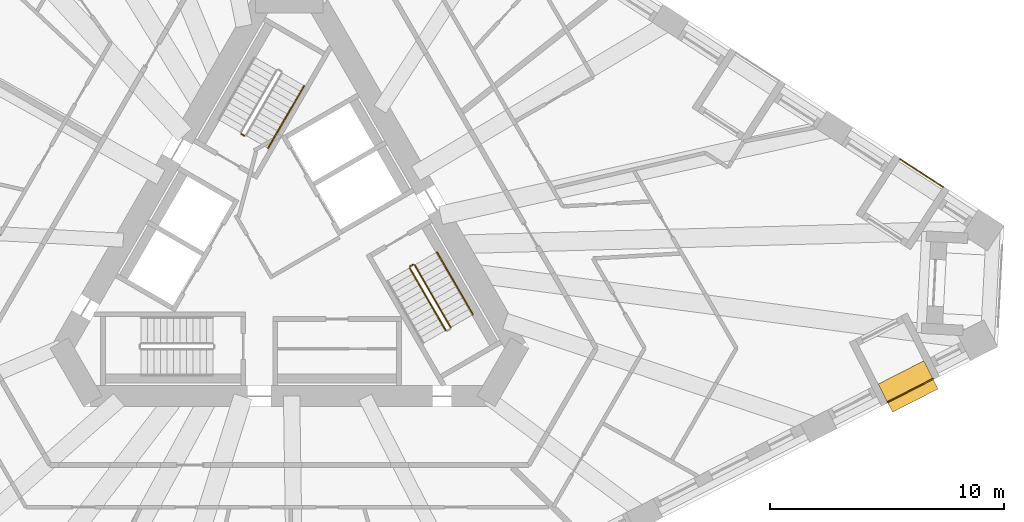
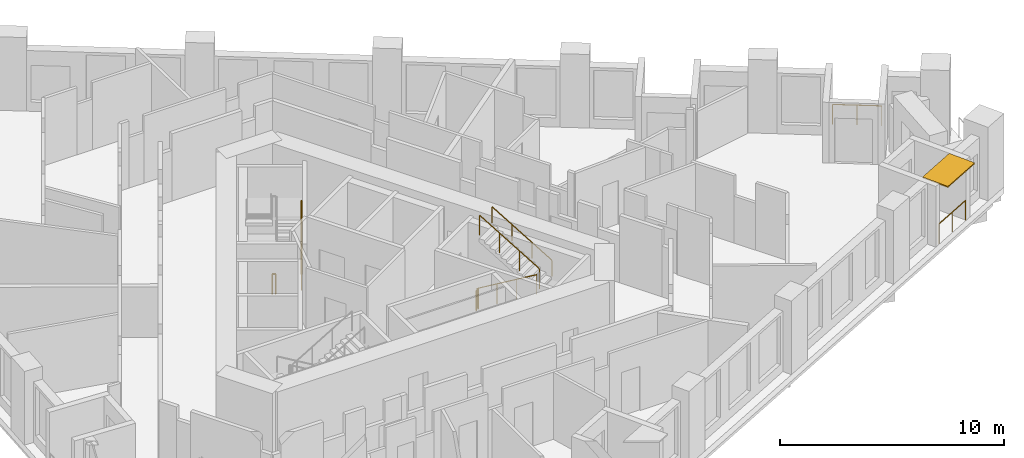
# One storey, part 11 of 13: 8 railings, 1 shading device.
"""IFC4 building model written with IfcOpenShell, lengths in metres."""

from ifc_helpers import new_model, si_unit, direction, frame, origin, origin_2d, place, context, subcontext, project, spatial, rectangle, circle, extrude, material, layer, layer_set, type_object, element, save


model = new_model("IFC4")

# Units and contexts
model_context = context("Model", 3, precision=1e-05, world=origin(), true_north=direction((0.0, 1.0)))
body_context = subcontext(model_context, "Body", "Model", "MODEL_VIEW")
ifc_project = project(units=[si_unit("LENGTHUNIT", "METRE"), si_unit("AREAUNIT", "SQUARE_METRE"), si_unit("VOLUMEUNIT", "CUBIC_METRE"), si_unit("PLANEANGLEUNIT", "RADIAN"), si_unit("MASSUNIT", "GRAM", prefix="KILO")], contexts=[model_context])

# Site, building, storey
site_placement = place(None, origin())
site = spatial("IfcSite", under=ifc_project, at=site_placement, CompositionType="ELEMENT")
building_placement = place(site_placement, origin())
building = spatial("IfcBuilding", under=site, at=building_placement, Name="Tramontana Tower", CompositionType="ELEMENT")
storey_placement = place(building_placement, frame((0.0, 0.0, 153.60009765625)))
storey = spatial("IfcBuildingStorey", under=building, at=storey_placement, Name="L35", CompositionType="ELEMENT", Elevation=153.60009765625)

# Railings
ifc_material_1 = material(Name="Laminated glass balustrade", Category="glass")
railing_type_1 = type_object("IfcRailingType", Name="GD1 Loggia glass balustrade 1100", PredefinedType="BALUSTRADE", material=ifc_material_1)
railing_1_placement = place(storey_placement, frame((25.603271484375, -6.5615234375, 0.0)))
element("IfcRailing", 1, at=railing_1_placement, inside=storey, type_object=railing_type_1, Name="Loggia balustrade L35 G3S1.16", PredefinedType="BALUSTRADE", context=body_context, shape_type="SweptSolid", body=[
    extrude(circle(Radius=0.02392578125, at=origin_2d()), frame((0.0, 0.0, 1.076171875), z_axis=(0.891013126725, 0.4539775413, 0.0), x_axis=(-0.4539775413, 0.891013126725, 0.0)), (0.0, 0.0, 1.0), 2.1904296875),
    extrude(circle(Radius=0.02099609375, at=origin_2d()), origin(), (0.0, 0.0, 1.0), 1.052001953125),
    extrude(circle(Radius=0.02099609375, at=origin_2d()), frame((0.975830078125, 0.4970703125, 0.0)), (0.0, 0.0, 1.0), 1.052001953125),
    extrude(circle(Radius=0.02099609375, at=origin_2d()), frame((1.95166015625, 0.994384765625, 0.0)), (0.0, 0.0, 1.0), 1.052001953125),
])
railing_2_placement = place(storey_placement, frame((27.98583984375, 2.65625, 0.0)))
element("IfcRailing", 2, at=railing_2_placement, inside=storey, type_object=railing_type_1, Name="Loggia balustrade L35 G3S2.1", PredefinedType="BALUSTRADE", context=body_context, shape_type="SweptSolid", body=[
    extrude(circle(Radius=0.02392578125, at=origin_2d()), frame((0.0, 0.0, 1.076171875), z_axis=(-0.838659986147, 0.544655329209, 0.0), x_axis=(-0.544655329209, -0.838659986147, 0.0)), (0.0, 0.0, 1.0), 2.190673828125),
    extrude(circle(Radius=0.02099609375, at=origin_2d()), origin(), (0.0, 0.0, 1.0), 1.052001953125),
    extrude(circle(Radius=0.02099609375, at=origin_2d()), frame((-0.91845703125, 0.5966796875, 0.0)), (0.0, 0.0, 1.0), 1.052001953125),
    extrude(circle(Radius=0.02099609375, at=origin_2d()), frame((-1.837158203125, 1.193115234375, 0.0)), (0.0, 0.0, 1.0), 1.052001953125),
])

# Shading device
ifc_material_2 = material(Name="Precast concrete 60 MPa", Category="concrete")
ifc_layer = layer(ifc_material_2, 0.06005859375)
ifc_layer_set = layer_set([ifc_layer], Name="SS1 Stone sunshade blade 60")
shading_device_type = type_object("IfcShadingDeviceType", Name="SS1 Stone sunshade blade 60", PredefinedType="USERDEFINED", material=ifc_layer_set)
shading_device_placement = place(storey_placement, frame((26.490478515625, -5.890625, 3.239990234375), z_axis=(0.0, 0.0, 1.0), x_axis=(0.891006524188, 0.45399049974, 0.0)))
element("IfcShadingDevice", 3, at=shading_device_placement, inside=storey, type_object=shading_device_type, Name="Sunshade L35 G3S1.16", ObjectType="SUNSHADE", PredefinedType="USERDEFINED", context=body_context, shape_type="SweptSolid", body=[
    extrude(rectangle(XDim=2.1904296875, YDim=1.35009765625, at=origin_2d()), origin(), (0.0, 0.0, 1.0), 0.06005859375),
])

# Railings
ifc_material_3 = material(Name="Painted steel", Category="steel")
railing_type_2 = type_object("IfcRailingType", Name="STAIR GUARD 1100", PredefinedType="GUARDRAIL", material=ifc_material_3)
railing_3_placement = place(storey_placement, frame((-1.935791015625, 4.84716796875, 0.0)))
element("IfcRailing", 4, at=railing_3_placement, inside=storey, type_object=railing_type_2, Name="L35 ST1 stair guard 4", PredefinedType="GUARDRAIL", context=body_context, shape_type="SweptSolid", body=[
    extrude(circle(Radius=0.02392578125, at=origin_2d()), frame((0.0, 0.0, 1.076171875), z_axis=(-0.865426285481, 0.501036270542, 0.0), x_axis=(-0.501036270542, -0.865426285481, 0.0)), (0.0, 0.0, 1.0), 0.150146484375),
    extrude(circle(Radius=0.02099609375, at=origin_2d()), origin(), (0.0, 0.0, 1.0), 1.052001953125),
    extrude(circle(Radius=0.02099609375, at=origin_2d()), frame((-0.1298828125, 0.0751953125, 0.0)), (0.0, 0.0, 1.0), 1.052001953125),
])
railing_4_placement = place(storey_placement, frame((5.1474609375, -0.815673828125, 0.16650390625)))
element("IfcRailing", 5, at=railing_4_placement, inside=storey, type_object=railing_type_2, Name="L35 ST3 stair guard 1", PredefinedType="GUARDRAIL", context=body_context, shape_type="SweptSolid", body=[
    extrude(circle(Radius=0.02392578125, at=origin_2d()), frame((0.0, 0.0, 1.076171875), z_axis=(0.429656224001, -0.744133520484, 0.511527939481), x_axis=(0.866010015463, 0.500026652407, 0.0)), (0.0, 0.0, 1.0), 3.58447265625),
    extrude(circle(Radius=0.02099609375, at=origin_2d()), origin(), (0.0, 0.0, 1.0), 1.052001953125),
    extrude(circle(Radius=0.02099609375, at=origin_2d()), frame((0.513427734375, -0.88916015625, 0.611083984375)), (0.0, 0.0, 1.0), 1.052001953125),
    extrude(circle(Radius=0.02099609375, at=origin_2d()), frame((1.026611328125, -1.778076171875, 1.222412109375)), (0.0, 0.0, 1.0), 1.052001953125),
    extrude(circle(Radius=0.02099609375, at=origin_2d()), frame((1.5400390625, -2.667236328125, 1.83349609375)), (0.0, 0.0, 1.0), 1.052001953125),
])
railing_5_placement = place(storey_placement, frame((6.90380859375, -3.35791015625, 2.16650390625)))
element("IfcRailing", 6, at=railing_5_placement, inside=storey, type_object=railing_type_2, Name="L35 ST3 stair guard 2", PredefinedType="GUARDRAIL", context=body_context, shape_type="SweptSolid", body=[
    extrude(circle(Radius=0.02392578125, at=origin_2d()), frame((0.0, 0.0, 1.076171875), z_axis=(-0.429600682602, 0.744155296881, 0.511542908886), x_axis=(-0.866044340336, -0.499967199496, 0.0)), (0.0, 0.0, 1.0), 3.584228515625),
    extrude(circle(Radius=0.02099609375, at=origin_2d()), origin(), (0.0, 0.0, 1.0), 1.052001953125),
    extrude(circle(Radius=0.02099609375, at=origin_2d()), frame((-0.51318359375, 0.88916015625, 0.611083984375)), (0.0, 0.0, 1.0), 1.052001953125),
    extrude(circle(Radius=0.02099609375, at=origin_2d()), frame((-1.026611328125, 1.778076171875, 1.222412109375)), (0.0, 0.0, 1.0), 1.052001953125),
    extrude(circle(Radius=0.02099609375, at=origin_2d()), frame((-1.539794921875, 2.667236328125, 1.83349609375)), (0.0, 0.0, 1.0), 1.052001953125),
])
railing_6_placement = place(storey_placement, frame((5.165771484375, -0.747314453125, 0.0)))
element("IfcRailing", 7, at=railing_6_placement, inside=storey, type_object=railing_type_2, Name="L35 ST3 stair guard 4", PredefinedType="GUARDRAIL", context=body_context, shape_type="SweptSolid", body=[
    extrude(circle(Radius=0.02392578125, at=origin_2d()), frame((0.0, 0.0, 1.076171875), z_axis=(0.866131372301, 0.499816412211, 0.0), x_axis=(-0.499816412211, 0.866131372301, 0.0)), (0.0, 0.0, 1.0), 0.14990234375),
    extrude(circle(Radius=0.02099609375, at=origin_2d()), origin(), (0.0, 0.0, 1.0), 1.052001953125),
    extrude(circle(Radius=0.02099609375, at=origin_2d()), frame((0.1298828125, 0.074951171875, 0.0)), (0.0, 0.0, 1.0), 1.052001953125),
])
ifc_material_4 = material(Name="Painted steel", Category="steel")
railing_type_3 = type_object("IfcRailingType", Name="STAIR HANDRAIL 900", PredefinedType="HANDRAIL", material=ifc_material_4)
railing_7_placement = place(storey_placement, frame((-0.914794921875, 4.315673828125, 0.16650390625)))
element("IfcRailing", 8, at=railing_7_placement, inside=storey, type_object=railing_type_3, Name="L35 ST1 stair handrail 1", PredefinedType="HANDRAIL", context=body_context, shape_type="SweptSolid", body=[
    extrude(circle(Radius=0.02392578125, at=origin_2d()), frame((0.0, 0.0, 0.8759765625), z_axis=(0.429656224001, 0.744133520484, 0.511527939481), x_axis=(-0.866010015463, 0.500026652407, 0.0)), (0.0, 0.0, 1.0), 3.58447265625),
    extrude(circle(Radius=0.02099609375, at=origin_2d()), origin(), (0.0, 0.0, 1.0), 0.851806640625),
    extrude(circle(Radius=0.02099609375, at=origin_2d()), frame((0.513427734375, 0.88916015625, 0.611083984375)), (0.0, 0.0, 1.0), 0.851806640625),
    extrude(circle(Radius=0.02099609375, at=origin_2d()), frame((1.026611328125, 1.778076171875, 1.222412109375)), (0.0, 0.0, 1.0), 0.851806640625),
    extrude(circle(Radius=0.02099609375, at=origin_2d()), frame((1.5400390625, 2.667236328125, 1.83349609375)), (0.0, 0.0, 1.0), 0.851806640625),
])
railing_8_placement = place(storey_placement, frame((7.8564453125, -2.807861328125, 2.16650390625)))
element("IfcRailing", 9, at=railing_8_placement, inside=storey, type_object=railing_type_3, Name="L35 ST3 stair handrail 2", PredefinedType="HANDRAIL", context=body_context, shape_type="SweptSolid", body=[
    extrude(circle(Radius=0.02392578125, at=origin_2d()), frame((0.0, 0.0, 0.8759765625), z_axis=(-0.429600682602, 0.744155296881, 0.511542908886), x_axis=(-0.866044340336, -0.499967199496, 0.0)), (0.0, 0.0, 1.0), 3.584228515625),
    extrude(circle(Radius=0.02099609375, at=origin_2d()), origin(), (0.0, 0.0, 1.0), 0.851806640625),
    extrude(circle(Radius=0.02099609375, at=origin_2d()), frame((-0.51318359375, 0.88916015625, 0.611083984375)), (0.0, 0.0, 1.0), 0.851806640625),
    extrude(circle(Radius=0.02099609375, at=origin_2d()), frame((-1.026611328125, 1.778076171875, 1.222412109375)), (0.0, 0.0, 1.0), 0.851806640625),
    extrude(circle(Radius=0.02099609375, at=origin_2d()), frame((-1.539794921875, 2.667236328125, 1.83349609375)), (0.0, 0.0, 1.0), 0.851806640625),
])

save(model, "model.ifc")
